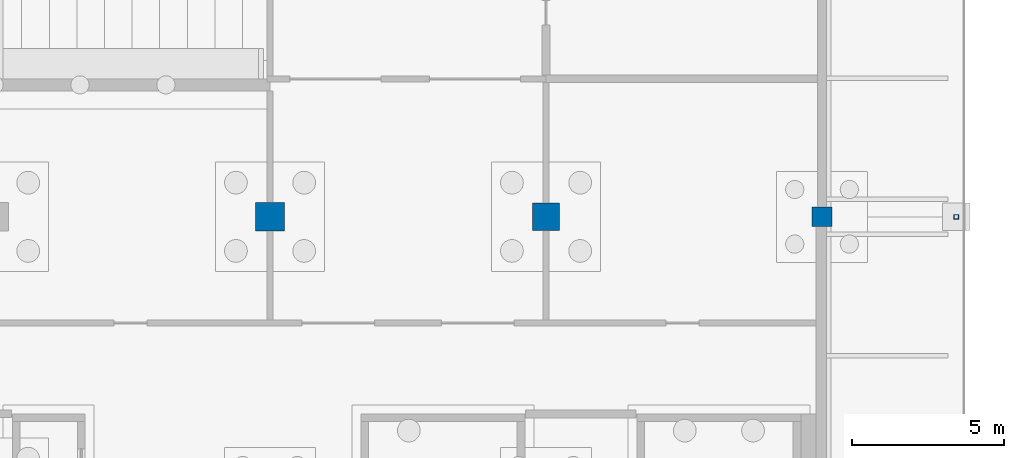
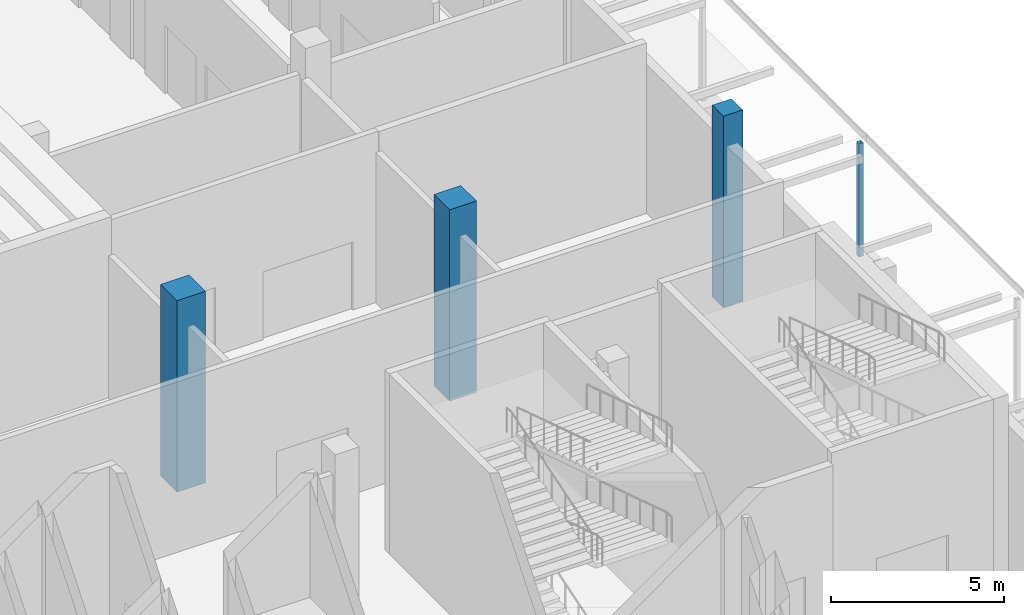
# One storey, part 39 of 129: 4 columns.
"""IFC4 building model written with IfcOpenShell, lengths in metres."""

from ifc_helpers import new_model, si_unit, direction, frame, origin, origin_2d, place, context, subcontext, project, spatial, rectangle, hollow_rectangle, extrude, material, material_profile, profile_set, type_object, element, save


model = new_model("IFC4")

# Units and contexts
model_context = context("Model", 3, precision=1e-05, world=origin(), true_north=direction((0.0, 1.0)))
body_context = subcontext(model_context, "Body", "Model", "MODEL_VIEW")
ifc_project = project(units=[si_unit("LENGTHUNIT", "METRE"), si_unit("AREAUNIT", "SQUARE_METRE"), si_unit("VOLUMEUNIT", "CUBIC_METRE"), si_unit("PLANEANGLEUNIT", "RADIAN"), si_unit("MASSUNIT", "GRAM", prefix="KILO")], contexts=[model_context])

# Site, building, storey
site_placement = place(None, origin())
site = spatial("IfcSite", under=ifc_project, at=site_placement, CompositionType="ELEMENT")
building_placement = place(site_placement, origin())
building = spatial("IfcBuilding", under=site, at=building_placement, Name="Shirokan Park Arena", CompositionType="ELEMENT")
storey_placement = place(building_placement, origin())
storey = spatial("IfcBuildingStorey", under=building, at=storey_placement, Name="L00", CompositionType="ELEMENT", Elevation=0.0)

# Columns
ifc_material_1 = material(Name="Concrete C35", Category="concrete")
ifc_material_profile_1 = material_profile(ifc_material_1, rectangle(XDim=0.64990234375, YDim=0.64990234375, at=origin_2d()), Name="650x650")
ifc_profile_set_1 = profile_set([ifc_material_profile_1], Name="Concrete C35")
column_type_1 = type_object("IfcColumnType", Name="RC column 650x650", PredefinedType="COLUMN", material=ifc_profile_set_1)
column_1_placement = place(storey_placement, frame((145.60009765625, 36.39990234375, -0.39990234375), z_axis=(0.0, 0.0, 1.0), x_axis=(1.0, 0.0, 0.0)))
element("IfcColumn", 1, at=column_1_placement, inside=storey, type_object=column_type_1, Name="Column 17E L00", PredefinedType="COLUMN", context=body_context, shape_type="SweptSolid", body=[
    extrude(rectangle(XDim=0.64990234375, YDim=0.64990234375, at=origin_2d()), origin(), (0.0, 0.0, 1.0), 6.77001953125),
])
ifc_material_profile_2 = material_profile(ifc_material_1, rectangle(XDim=0.89990234375, YDim=0.89990234375, at=origin_2d()), Name="900x900")
ifc_profile_set_2 = profile_set([ifc_material_profile_2], Name="Concrete C35")
column_type_2 = type_object("IfcColumnType", Name="RC column 900x900", PredefinedType="COLUMN", material=ifc_profile_set_2)
column_2_placement = place(storey_placement, frame((136.5, 36.39990234375, -0.39990234375), z_axis=(0.0, 0.0, 1.0), x_axis=(1.0, 0.0, 0.0)))
element("IfcColumn", 2, at=column_2_placement, inside=storey, type_object=column_type_2, Name="Column 16E L00", PredefinedType="COLUMN", context=body_context, shape_type="SweptSolid", body=[
    extrude(rectangle(XDim=0.89990234375, YDim=0.89990234375, at=origin_2d()), origin(), (0.0, 0.0, 1.0), 6.77001953125),
])
ifc_material_profile_3 = material_profile(ifc_material_1, rectangle(XDim=0.949951171875, YDim=0.949951171875, at=origin_2d()), Name="950x950")
ifc_profile_set_3 = profile_set([ifc_material_profile_3], Name="Concrete C35")
column_type_3 = type_object("IfcColumnType", Name="RC column 950x950", PredefinedType="COLUMN", material=ifc_profile_set_3)
column_3_placement = place(storey_placement, frame((127.39990234375, 36.39990234375, -0.39990234375), z_axis=(0.0, 0.0, 1.0), x_axis=(1.0, 0.0, 0.0)))
element("IfcColumn", 3, at=column_3_placement, inside=storey, type_object=column_type_3, Name="Column 15E L00", PredefinedType="COLUMN", context=body_context, shape_type="SweptSolid", body=[
    extrude(rectangle(XDim=0.949951171875, YDim=0.949951171875, at=origin_2d()), origin(), (0.0, 0.0, 1.0), 6.77001953125),
])
ifc_material_2 = material(Name="Steel S355", Category="steel")
ifc_material_profile_4 = material_profile(ifc_material_2, hollow_rectangle(XDim=0.14990234375, YDim=0.14990234375, WallThickness=0.008056640625, at=origin_2d()), Name="RHS 150x150x8")
ifc_profile_set_4 = profile_set([ifc_material_profile_4], Name="Steel S355")
column_type_4 = type_object("IfcColumnType", Name="Steel post RHS 150x150x8", PredefinedType="COLUMN", material=ifc_profile_set_4)
column_4_placement = place(storey_placement, frame((150.02490234375, 36.39990234375, -0.39990234375), z_axis=(0.0, 0.0, 1.0), x_axis=(1.0, 0.0, 0.0)))
element("IfcColumn", 4, at=column_4_placement, inside=storey, type_object=column_type_4, Name="Canopy post east grid 5", PredefinedType="COLUMN", context=body_context, shape_type="SweptSolid", body=[
    extrude(hollow_rectangle(XDim=0.14990234375, YDim=0.14990234375, WallThickness=0.008056640625, at=origin_2d()), origin(), (0.0, 0.0, 1.0), 4.0),
])

save(model, "model.ifc")
